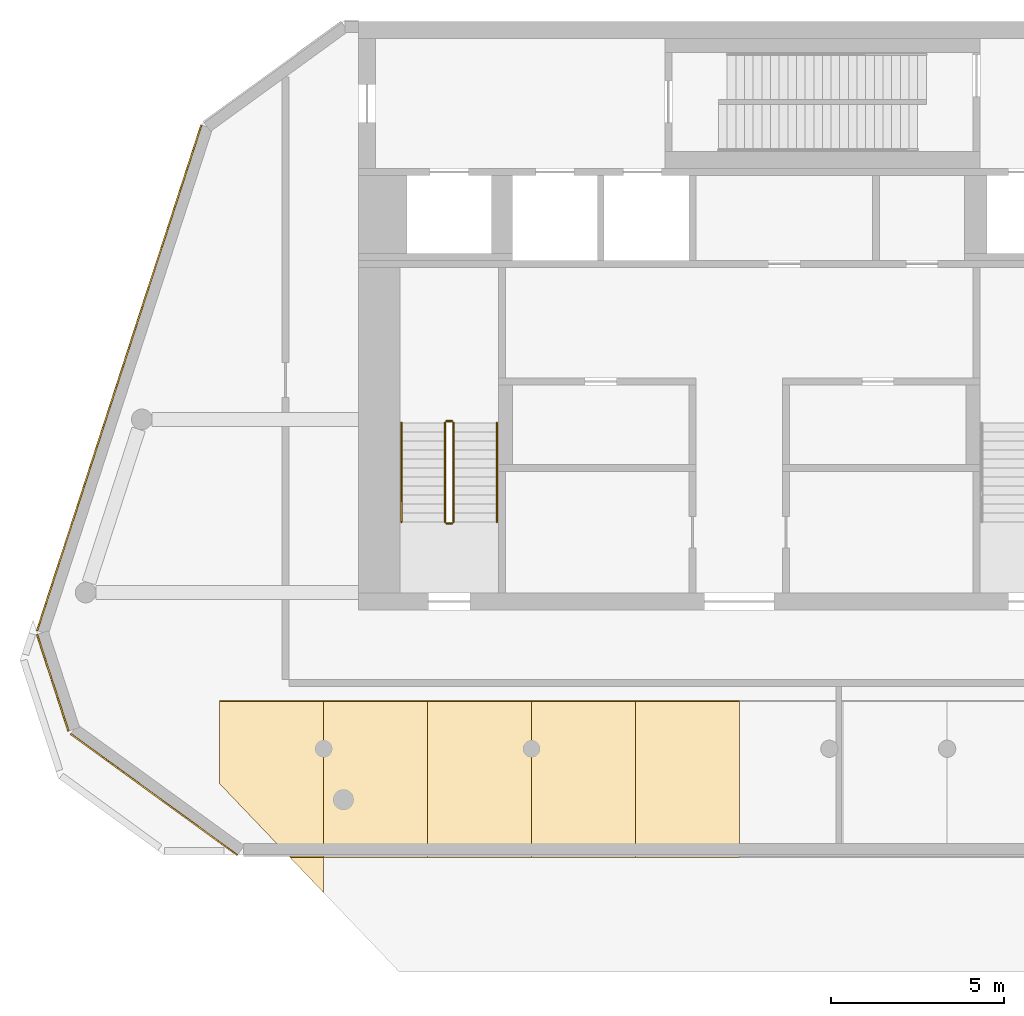
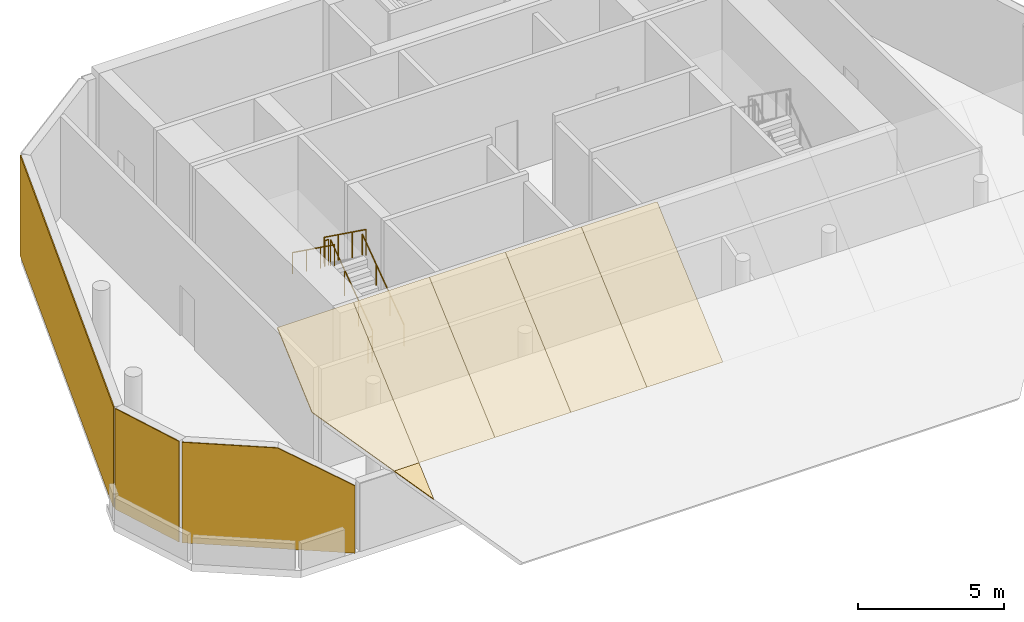
# One storey, part 4 of 6: 9 coverings, 6 railings.
"""IFC4 building model written with IfcOpenShell, lengths in metres."""

from ifc_helpers import new_model, si_unit, direction, frame, origin, origin_2d, place, context, subcontext, project, spatial, polyline, circle, outline, extrude, material, layer, layer_set, type_object, element, save


model = new_model("IFC4")

# Units and contexts
model_context = context("Model", 3, precision=1e-05, world=origin(), true_north=direction((0.0, 1.0)))
body_context = subcontext(model_context, "Body", "Model", "MODEL_VIEW")
ifc_project = project(units=[si_unit("LENGTHUNIT", "METRE"), si_unit("AREAUNIT", "SQUARE_METRE"), si_unit("VOLUMEUNIT", "CUBIC_METRE"), si_unit("PLANEANGLEUNIT", "RADIAN"), si_unit("MASSUNIT", "GRAM", prefix="KILO")], contexts=[model_context])

# Site, building, storey
site_placement = place(None, origin())
site = spatial("IfcSite", under=ifc_project, at=site_placement, CompositionType="ELEMENT")
building_placement = place(site_placement, origin())
building = spatial("IfcBuilding", under=site, at=building_placement, Name="White Candle Pilgrim Tower", CompositionType="ELEMENT")
storey_placement = place(building_placement, frame((0.0, 0.0, 337.699951171875)))
storey = spatial("IfcBuildingStorey", under=building, at=storey_placement, Name="L79", CompositionType="ELEMENT", Elevation=337.699951171875)

# Coverings
ifc_material_1 = material(Name="Zinc standing seam")
ifc_layer_1 = layer(ifc_material_1, 0.050048828125)
ifc_layer_set_1 = layer_set([ifc_layer_1], Name="Roof covering CL2 zinc standing seam 50")
covering_type_1 = type_object("IfcCoveringType", Name="Roof covering CL2 zinc standing seam 50", PredefinedType="ROOFING", material=ifc_layer_set_1)
covering_1_placement = place(storey_placement, frame((58.0, 63.867919921875, 2.9326171875), z_axis=(-0.000104521664, -0.663022561863, 0.748599406583), x_axis=(7.807e-09, -0.748599410673, -0.663022565484)))
element("IfcCovering", 1, at=covering_1_placement, inside=storey, type_object=covering_type_1, Name="Roof covering 11", PredefinedType="ROOFING", context=body_context, shape_type="SweptSolid", body=[
    extrude(outline(polyline([(0.0, 0.0), (1.3676981778729207, 0.0), (1.290734999439966, -0.054931640133628584), (0.6229636323642969, -0.5322265710169157), (-7.629619789238158e-09, -0.9772949165366348), (0.0, 0.0)])), origin(), (0.0, 0.0, -1.0), 0.050048828125),
])
covering_2_placement = place(storey_placement, frame((55.0, 68.360107421875, 6.91015625), z_axis=(-3.20915e-05, -0.662928091115, 0.748683073791), x_axis=(0.999999999485, -2.1274357e-05, 2.4026363e-05)))
element("IfcCovering", 2, at=covering_2_placement, inside=storey, type_object=covering_type_1, Name="Roof covering 22", PredefinedType="ROOFING", context=body_context, shape_type="SweptSolid", body=[
    extrude(outline(polyline([(0.0, 0.0), (2.9999999984552033, -1.0164395367051604e-20), (3.0000000010582366, -6.00004712667245), (2.022705079686477, -6.00004712667245), (1.9904785160690452, -5.955077524281336), (1.5131835919771903, -5.287306145930902), (1.0358886678853354, -4.619534767580468), (0.5585937496592916, -3.9516015415514554), (0.08129882556743669, -3.2838301632010216), (-2.663261272080981e-09, -3.1700276306942996), (0.0, 0.0)])), origin(), (0.0, 0.0, -1.0), 0.050048828125),
])
for number, where, z_axis, x_axis, name in (
    (3, (58.0, 63.867919921875, 2.9326171875), (0.0, -0.66291797017, 0.748692036038), (0.0, 0.748692036038, 0.66291797017), "Roof covering 23"),
    (4, (61.0, 63.867919921875, 2.9326171875), (0.0, -0.66291797017, 0.748692036038), (0.0, 0.748692036038, 0.66291797017), "Roof covering 24"),
    (5, (64.0, 63.867919921875, 2.9326171875), (0.0, -0.66291797017, 0.748692036038), (0.0, 0.748692036038, 0.66291797017), "Roof covering 25"),
    (6, (67.0, 63.867919921875, 2.9326171875), (0.0, -0.66291797017, 0.748692036038), (0.0, 0.748692036038, 0.66291797017), "Roof covering 26"),
):
    element("IfcCovering", number, at=place(storey_placement, frame(where, z_axis=z_axis, x_axis=x_axis)), inside=storey, type_object=covering_type_1, Name=name, PredefinedType="ROOFING", context=body_context, shape_type="SweptSolid", body=[
        extrude(outline(polyline([(0.0, 0.0), (6.000047127220721, 0.0), (6.000047127220721, -3.0), (0.0, -3.0), (0.0, 0.0)])), origin(), (0.0, 0.0, -1.0), 0.050048828125),
    ])

# Railings
ifc_material_2 = material(Name="Stainless steel", Category="steel")
railing_type_1 = type_object("IfcRailingType", Name="Stair guard stainless steel 1100 mm", PredefinedType="GUARDRAIL", material=ifc_material_2)
railing_1_placement = place(storey_placement, frame((61.75, 73.550048828125, 0.1875)))
element("IfcRailing", 7, at=railing_1_placement, inside=storey, type_object=railing_type_1, Name="L79 ST1 stair guard 1", PredefinedType="GUARDRAIL", context=body_context, shape_type="SweptSolid", body=[
    extrude(circle(Radius=0.02392578125, at=origin_2d()), frame((0.0, 0.0, 1.076171875), z_axis=(0.0, 0.811077065594, 0.584939307678), x_axis=(-1.0, 0.0, 0.0)), (0.0, 0.0, 1.0), 3.526123046875),
    extrude(circle(Radius=0.02099609375, at=origin_2d()), origin(), (0.0, 0.0, 1.0), 1.052001953125),
    extrude(circle(Radius=0.02099609375, at=origin_2d()), frame((0.0, 0.953369140625, 0.6875)), (0.0, 0.0, 1.0), 1.052001953125),
    extrude(circle(Radius=0.02099609375, at=origin_2d()), frame((0.0, 1.906494140625, 1.375)), (0.0, 0.0, 1.0), 1.052001953125),
    extrude(circle(Radius=0.02099609375, at=origin_2d()), frame((0.0, 2.85986328125, 2.0625)), (0.0, 0.0, 1.0), 1.052001953125),
])
railing_2_placement = place(storey_placement, frame((61.699951171875, 76.4599609375, 2.25)))
element("IfcRailing", 8, at=railing_2_placement, inside=storey, type_object=railing_type_1, Name="L79 ST1 stair guard 2", PredefinedType="GUARDRAIL", context=body_context, shape_type="SweptSolid", body=[
    extrude(circle(Radius=0.02392578125, at=origin_2d()), frame((0.0, 0.0, 1.076171875), z_axis=(-1.0, 0.0, 0.0), x_axis=(0.0, -1.0, 0.0)), (0.0, 0.0, 1.0), 0.14990234375),
    extrude(circle(Radius=0.02099609375, at=origin_2d()), origin(), (0.0, 0.0, 1.0), 1.052001953125),
    extrude(circle(Radius=0.02099609375, at=origin_2d()), frame((-0.14990234375, 0.0, 0.0)), (0.0, 0.0, 1.0), 1.052001953125),
])
railing_3_placement = place(storey_placement, frame((61.5, 76.409912109375, 2.4375)))
element("IfcRailing", 9, at=railing_3_placement, inside=storey, type_object=railing_type_1, Name="L79 ST1 stair guard 3", PredefinedType="GUARDRAIL", context=body_context, shape_type="SweptSolid", body=[
    extrude(circle(Radius=0.02392578125, at=origin_2d()), frame((0.0, 0.0, 1.076171875), z_axis=(0.0, -0.811077065594, 0.584939307678), x_axis=(1.0, 0.0, 0.0)), (0.0, 0.0, 1.0), 3.526123046875),
    extrude(circle(Radius=0.02099609375, at=origin_2d()), origin(), (0.0, 0.0, 1.0), 1.052001953125),
    extrude(circle(Radius=0.02099609375, at=origin_2d()), frame((0.0, -0.953369140625, 0.6875)), (0.0, 0.0, 1.0), 1.052001953125),
    extrude(circle(Radius=0.02099609375, at=origin_2d()), frame((0.0, -1.906494140625, 1.375)), (0.0, 0.0, 1.0), 1.052001953125),
    extrude(circle(Radius=0.02099609375, at=origin_2d()), frame((0.0, -2.85986328125, 2.0625)), (0.0, 0.0, 1.0), 1.052001953125),
])
railing_4_placement = place(storey_placement, frame((61.699951171875, 73.5, 0.0)))
element("IfcRailing", 10, at=railing_4_placement, inside=storey, type_object=railing_type_1, Name="L79 ST1 stair guard 4", PredefinedType="GUARDRAIL", context=body_context, shape_type="SweptSolid", body=[
    extrude(circle(Radius=0.02392578125, at=origin_2d()), frame((0.0, 0.0, 1.076171875), z_axis=(-1.0, 0.0, 0.0), x_axis=(0.0, -1.0, 0.0)), (0.0, 0.0, 1.0), 0.14990234375),
    extrude(circle(Radius=0.02099609375, at=origin_2d()), origin(), (0.0, 0.0, 1.0), 1.052001953125),
    extrude(circle(Radius=0.02099609375, at=origin_2d()), frame((-0.14990234375, 0.0, 0.0)), (0.0, 0.0, 1.0), 1.052001953125),
])
railing_type_2 = type_object("IfcRailingType", Name="Stair handrail stainless steel", PredefinedType="HANDRAIL", material=ifc_material_2)
railing_5_placement = place(storey_placement, frame((63.0, 73.550048828125, 0.1875)))
element("IfcRailing", 11, at=railing_5_placement, inside=storey, type_object=railing_type_2, Name="L79 ST1 stair handrail 1", PredefinedType="HANDRAIL", context=body_context, shape_type="SweptSolid", body=[
    extrude(circle(Radius=0.02392578125, at=origin_2d()), frame((0.0, 0.0, 0.8759765625), z_axis=(0.0, 0.811077065594, 0.584939307678), x_axis=(-1.0, 0.0, 0.0)), (0.0, 0.0, 1.0), 3.526123046875),
    extrude(circle(Radius=0.02099609375, at=origin_2d()), origin(), (0.0, 0.0, 1.0), 0.851806640625),
    extrude(circle(Radius=0.02099609375, at=origin_2d()), frame((0.0, 0.953369140625, 0.6875)), (0.0, 0.0, 1.0), 0.851806640625),
    extrude(circle(Radius=0.02099609375, at=origin_2d()), frame((0.0, 1.906494140625, 1.375)), (0.0, 0.0, 1.0), 0.851806640625),
    extrude(circle(Radius=0.02099609375, at=origin_2d()), frame((0.0, 2.85986328125, 2.0625)), (0.0, 0.0, 1.0), 0.851806640625),
])
railing_6_placement = place(storey_placement, frame((60.25, 76.409912109375, 2.4375)))
element("IfcRailing", 12, at=railing_6_placement, inside=storey, type_object=railing_type_2, Name="L79 ST1 stair handrail 2", PredefinedType="HANDRAIL", context=body_context, shape_type="SweptSolid", body=[
    extrude(circle(Radius=0.02392578125, at=origin_2d()), frame((0.0, 0.0, 0.8759765625), z_axis=(0.0, -0.811077065594, 0.584939307678), x_axis=(1.0, 0.0, 0.0)), (0.0, 0.0, 1.0), 3.526123046875),
    extrude(circle(Radius=0.02099609375, at=origin_2d()), origin(), (0.0, 0.0, 1.0), 0.851806640625),
    extrude(circle(Radius=0.02099609375, at=origin_2d()), frame((0.0, -0.953369140625, 0.6875)), (0.0, 0.0, 1.0), 0.851806640625),
    extrude(circle(Radius=0.02099609375, at=origin_2d()), frame((0.0, -1.906494140625, 1.375)), (0.0, 0.0, 1.0), 0.851806640625),
    extrude(circle(Radius=0.02099609375, at=origin_2d()), frame((0.0, -2.85986328125, 2.0625)), (0.0, 0.0, 1.0), 0.851806640625),
])

# Coverings
ifc_layer_2 = layer(ifc_material_1, 0.0400390625)
ifc_layer_set_2 = layer_set([ifc_layer_2], Name="Zinc wall cladding CL3 40")
covering_type_2 = type_object("IfcCoveringType", Name="Zinc wall cladding CL3 40", PredefinedType="CLADDING", material=ifc_layer_set_2)
covering_3_placement = place(storey_placement, frame((49.74609375, 70.306884765625, 4.199951171875), z_axis=(0.951054878391, 0.30902203528, 0.0), x_axis=(0.30902203528, -0.951054878391, 0.0)))
element("IfcCovering", 13, at=covering_3_placement, inside=storey, type_object=covering_type_2, Name="Zinc wall cladding L79 W chamfer", PredefinedType="CLADDING", context=body_context, shape_type="SweptSolid", body=[
    extrude(outline(polyline([(0.0, 0.0), (2.9310586797748437, 0.0), (2.9310586797748437, 4.199951171875001), (0.0, 4.199951171875001), (0.0, 0.0)])), origin(), (0.0, 0.0, -1.0), 0.0400390625),
])
covering_4_placement = place(storey_placement, frame((50.7099609375, 67.439453125, 4.199951171875), z_axis=(0.587798358146, 0.809007472252, 1.175014e-06), x_axis=(0.809007472253, -0.587798358146, 3e-12)))
element("IfcCovering", 14, at=covering_4_placement, inside=storey, type_object=covering_type_2, Name="Zinc wall cladding L79 SW", PredefinedType="CLADDING", context=body_context, shape_type="SweptSolid", body=[
    extrude(outline(polyline([(0.0, 0.0), (3.2845573106001114, 0.0), (5.946533528882079, 1.3852539062684905), (5.94653352887378, 4.1999511718915485), (-1.2383961379542225e-11, 4.199951171872102), (0.0, 0.0)])), origin(), (0.0, 0.0, -1.0), 0.0400390625),
])
covering_5_placement = place(storey_placement, frame((54.48876953125, 85.002197265625, 4.199951171875), z_axis=(0.951056394176, -0.309017370219, 0.0), x_axis=(-0.309017370219, -0.951056394176, 0.0)))
element("IfcCovering", 15, at=covering_5_placement, inside=storey, type_object=covering_type_2, Name="Zinc wall cladding L79 WNW", PredefinedType="CLADDING", context=body_context, shape_type="SweptSolid", body=[
    extrude(outline(polyline([(0.0, 0.0), (15.347602556755612, 0.0), (15.347602556755612, 4.199951171875), (0.0, 4.199951171875), (0.0, 0.0)])), origin(), (0.0, 0.0, -1.0), 0.0400390625),
])

save(model, "model.ifc")
